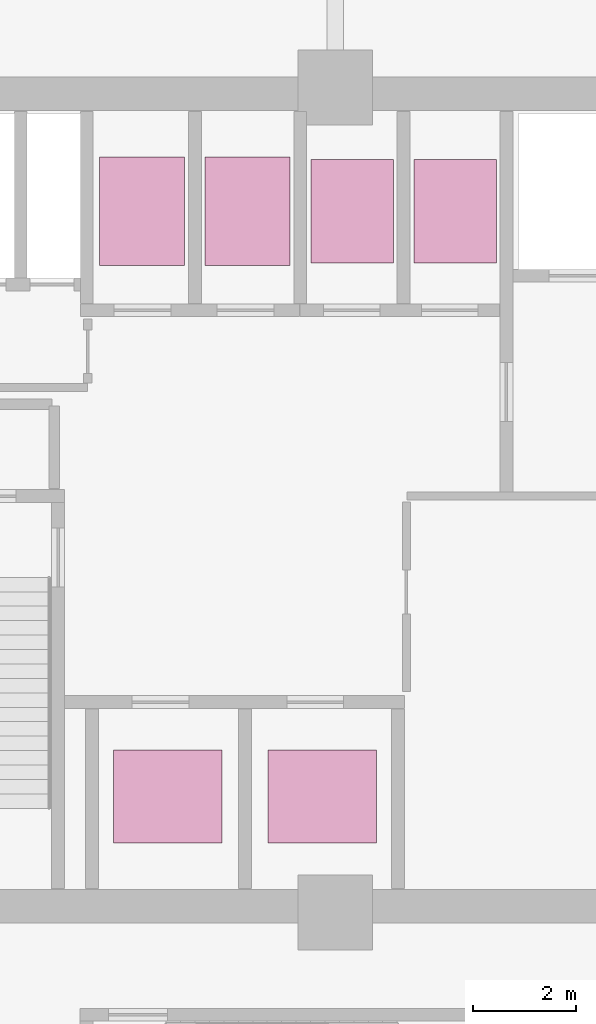
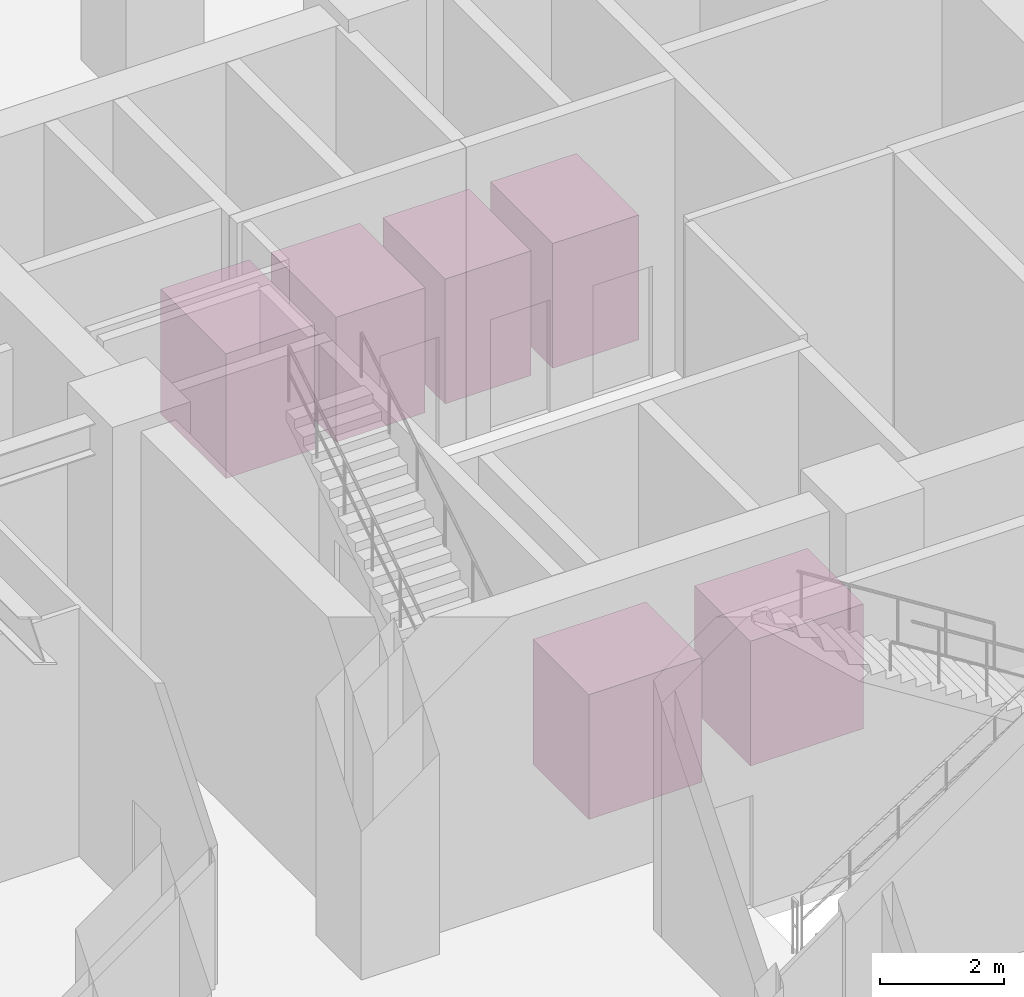
# One storey, part 13 of 13: 6 transport elements.
"""IFC4 building model written with IfcOpenShell, lengths in metres."""

from ifc_helpers import new_model, si_unit, direction, frame, origin, origin_2d, place, context, subcontext, project, spatial, rectangle, extrude, source, transform, mapped, material, type_object, element, save


model = new_model("IFC4")

# Units and contexts
model_context = context("Model", 3, precision=1e-05, world=origin(), true_north=direction((0.0, 1.0)))
body_context = subcontext(model_context, "Body", "Model", "MODEL_VIEW")
ifc_project = project(units=[si_unit("LENGTHUNIT", "METRE"), si_unit("AREAUNIT", "SQUARE_METRE"), si_unit("VOLUMEUNIT", "CUBIC_METRE"), si_unit("PLANEANGLEUNIT", "RADIAN"), si_unit("MASSUNIT", "GRAM", prefix="KILO")], contexts=[model_context])

# Site, building, storey
site_placement = place(None, origin())
site = spatial("IfcSite", under=ifc_project, at=site_placement, CompositionType="ELEMENT")
building_placement = place(site_placement, origin())
building = spatial("IfcBuilding", under=site, at=building_placement, Name="Torre Montelarca", CompositionType="ELEMENT")
storey_placement = place(building_placement, origin())
storey = spatial("IfcBuildingStorey", under=building, at=storey_placement, Name="L01", CompositionType="ELEMENT", Elevation=0.0)

# Transport elements
ifc_material = material(Name="Brushed stainless steel AISI 316", Category="steel")
transport_element_type_1 = type_object("IfcTransportElementType", Name="LFT-PASS-LOW", PredefinedType="ELEVATOR", material=ifc_material)
shared_shape_1 = source(origin(), body_context, "Body", "SweptSolid", [
    extrude(rectangle(XDim=2.10009765625, YDim=1.800048828125, at=origin_2d()), origin(), (0.0, 0.0, 1.0), 2.449951171875),
])
for number, where, z_axis, x_axis, name in (
    (1, (14.75, 26.25, -0.0048828125), (0.0, 0.0, 1.0), (1.0, 0.0, 0.0), "Low-Rise Passenger Lift PL-L1"),
    (2, (17.75, 26.25, -0.0048828125), (0.0, 0.0, 1.0), (1.0, 0.0, 0.0), "Low-Rise Passenger Lift PL-L2"),
):
    element("IfcTransportElement", number, at=place(storey_placement, frame(where, z_axis=z_axis, x_axis=x_axis)), inside=storey, type_object=transport_element_type_1, Name=name, PredefinedType="ELEVATOR", context=body_context, shape_type="MappedRepresentation", body=[
        mapped(shared_shape_1, transform((0.0, 0.0, 0.0), scale=1.0)),
    ])
transport_element_type_2 = type_object("IfcTransportElementType", Name="LFT-PASS-MID", PredefinedType="ELEVATOR", material=ifc_material)
shared_shape_2 = source(origin(), body_context, "Body", "SweptSolid", [
    extrude(rectangle(XDim=1.64990234375, YDim=2.10009765625, at=origin_2d()), origin(), (0.0, 0.0, 1.0), 2.449951171875),
])
for number, where, z_axis, x_axis, name in (
    (3, (14.25, 37.60009765625, -0.0048828125), (0.0, 0.0, 1.0), (1.0, 0.0, 0.0), "Mid-Rise Passenger Lift PL-M1"),
    (4, (16.300048828125, 37.60009765625, -0.0048828125), (0.0, 0.0, 1.0), (1.0, 0.0, 0.0), "Mid-Rise Passenger Lift PL-M2"),
):
    element("IfcTransportElement", number, at=place(storey_placement, frame(where, z_axis=z_axis, x_axis=x_axis)), inside=storey, type_object=transport_element_type_2, Name=name, PredefinedType="ELEVATOR", context=body_context, shape_type="MappedRepresentation", body=[
        mapped(shared_shape_2, transform((0.0, 0.0, 0.0), scale=1.0)),
    ])
transport_element_type_3 = type_object("IfcTransportElementType", Name="LFT-PASS-HIGH", PredefinedType="ELEVATOR", material=ifc_material)
shared_shape_3 = source(origin(), body_context, "Body", "SweptSolid", [
    extrude(rectangle(XDim=1.60009765625, YDim=2.0, at=origin_2d()), origin(), (0.0, 0.0, 1.0), 2.449951171875),
])
for number, where, z_axis, x_axis, name in (
    (5, (18.324951171875, 37.60009765625, -0.0048828125), (0.0, 0.0, 1.0), (1.0, 0.0, 0.0), "High-Rise Passenger Lift PL-H1"),
    (6, (20.324951171875, 37.60009765625, -0.0048828125), (0.0, 0.0, 1.0), (1.0, 0.0, 0.0), "High-Rise Passenger Lift PL-H2"),
):
    element("IfcTransportElement", number, at=place(storey_placement, frame(where, z_axis=z_axis, x_axis=x_axis)), inside=storey, type_object=transport_element_type_3, Name=name, PredefinedType="ELEVATOR", context=body_context, shape_type="MappedRepresentation", body=[
        mapped(shared_shape_3, transform((0.0, 0.0, 0.0), scale=1.0)),
    ])

save(model, "model.ifc")
